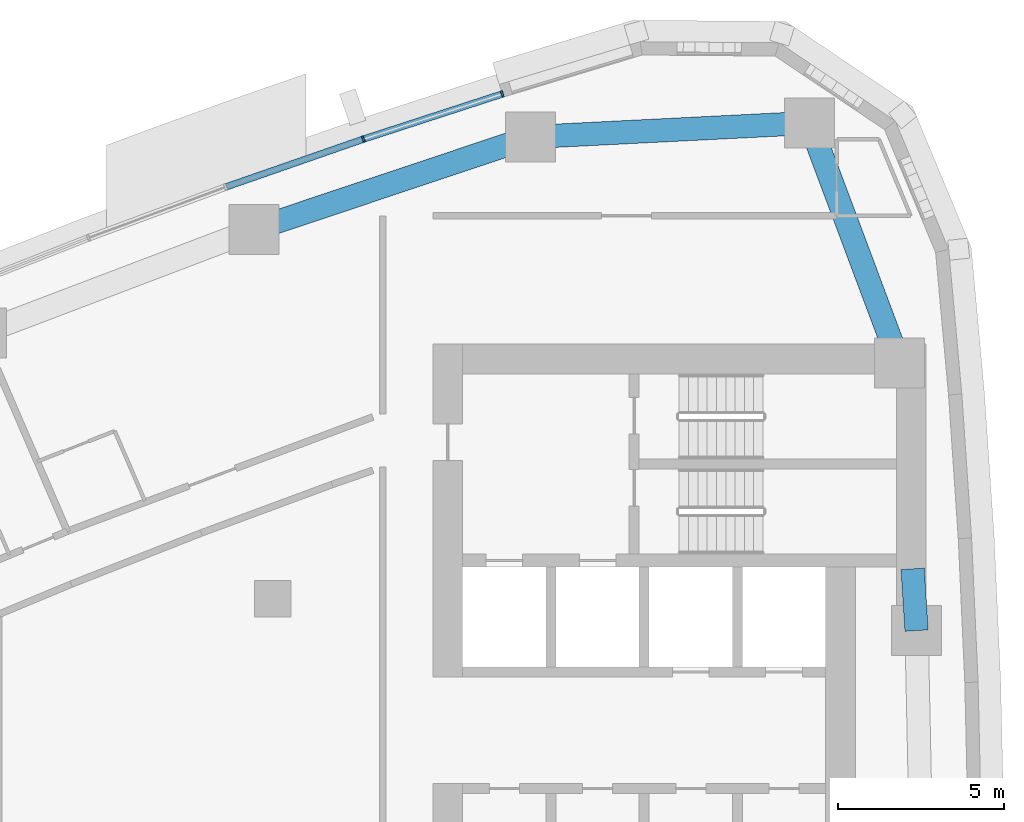
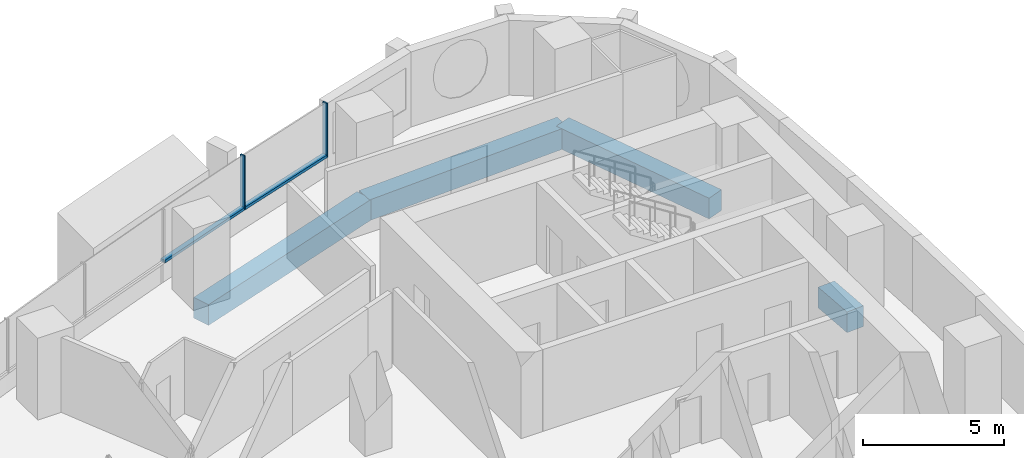
# One storey, part 6 of 17: 4 beams, 4 members, 1 element without a shape of its own.
"""IFC4 building model written with IfcOpenShell, lengths in metres."""

from ifc_helpers import new_model, si_unit, direction, frame, origin, origin_2d, place, context, subcontext, project, spatial, rectangle, extrude, material, layer, layer_set, material_profile, profile_set, type_object, element, aggregate, save


model = new_model("IFC4")

# Units and contexts
model_context = context("Model", 3, precision=1e-05, world=origin(), true_north=direction((0.0, 1.0)))
body_context = subcontext(model_context, "Body", "Model", "MODEL_VIEW")
ifc_project = project(units=[si_unit("LENGTHUNIT", "METRE"), si_unit("AREAUNIT", "SQUARE_METRE"), si_unit("VOLUMEUNIT", "CUBIC_METRE"), si_unit("PLANEANGLEUNIT", "RADIAN"), si_unit("MASSUNIT", "GRAM", prefix="KILO")], contexts=[model_context])

# Site, building, storey
site_placement = place(None, origin())
site = spatial("IfcSite", under=ifc_project, at=site_placement, CompositionType="ELEMENT")
building_placement = place(site_placement, origin())
building = spatial("IfcBuilding", under=site, at=building_placement, Name="Ostrand Prow Hotel Tower", CompositionType="ELEMENT")
storey_placement = place(building_placement, frame((0.0, 0.0, 130.199951171875)))
storey = spatial("IfcBuildingStorey", under=building, at=storey_placement, Name="L31", CompositionType="ELEMENT", Elevation=130.199951171875)

# Beams
ifc_material_1 = material(Name="Concrete C70/85", Category="concrete")
ifc_material_profile_1 = material_profile(ifc_material_1, rectangle(XDim=0.699951171875, YDim=0.89990234375, at=origin_2d()), Name="RC 700x900")
ifc_profile_set_1 = profile_set([ifc_material_profile_1], Name="Concrete C70/85")
beam_type = type_object("IfcBeamType", Name="Edge beam 700x900 C70/85", PredefinedType="SPANDREL", material=ifc_profile_set_1)
beam_1_placement = place(storey_placement, frame((64.32958984375, 8.044677734375, -0.75), z_axis=(-0.063563790544, 0.997977777574, 0.0), x_axis=(-0.997977777574, -0.063563790544, 0.0)))
element("IfcBeam", 1, at=beam_1_placement, inside=storey, type_object=beam_type, Name="Edge beam B4-B5", PredefinedType="SPANDREL", context=body_context, shape_type="SweptSolid", body=[
    extrude(rectangle(XDim=0.699951171875, YDim=0.89990234375, at=origin_2d()), origin(), (0.0, 0.0, 1.0), 1.85888671875),
])
beam_2_placement = place(storey_placement, frame((63.584716796875, 16.699951171875, -0.75), z_axis=(-0.350602524344, 0.93652435629, 0.0), x_axis=(-0.93652435629, -0.350602524344, 0.0)))
element("IfcBeam", 2, at=beam_2_placement, inside=storey, type_object=beam_type, Name="Edge beam B5-NE", PredefinedType="SPANDREL", context=body_context, shape_type="SweptSolid", body=[
    extrude(rectangle(XDim=0.699951171875, YDim=0.89990234375, at=origin_2d()), origin(), (0.0, 0.0, 1.0), 7.037353515625),
])
beam_3_placement = place(storey_placement, frame((61.117431640625, 23.29052734375, -0.75), z_axis=(-0.99873741544, -0.050235196825, 0.0), x_axis=(0.050235196825, -0.99873741544, 0.0)))
element("IfcBeam", 3, at=beam_3_placement, inside=storey, type_object=beam_type, Name="Edge beam NE-N1", PredefinedType="SPANDREL", context=body_context, shape_type="SweptSolid", body=[
    extrude(rectangle(XDim=0.699951171875, YDim=0.89990234375, at=origin_2d()), origin(), (0.0, 0.0, 1.0), 8.38818359375),
])
beam_4_placement = place(storey_placement, frame((52.73974609375, 22.869140625, -0.75), z_axis=(-0.948376051094, -0.317148018616, 0.0), x_axis=(0.317148018616, -0.948376051094, 0.0)))
element("IfcBeam", 4, at=beam_4_placement, inside=storey, type_object=beam_type, Name="Edge beam N1-N2", PredefinedType="SPANDREL", context=body_context, shape_type="SweptSolid", body=[
    extrude(rectangle(XDim=0.699951171875, YDim=0.89990234375, at=origin_2d()), origin(), (0.0, 0.0, 1.0), 8.75341796875),
])

# Curtain wall, members
ifc_material_2 = material(Name="Insulated glass in bronze anodised frame", Category="glass")
ifc_layer = layer(ifc_material_2, 0.199951171875)
ifc_layer_set = layer_set([ifc_layer], Name="Insulated glass in bronze anodised frame")
curtain_wall_type = type_object("IfcCurtainWallType", Name="Strip curtain wall, fritted glass over bronze spandrel", PredefinedType="NOTDEFINED", material=ifc_layer_set)
curtain_wall_placement = place(storey_placement, origin())
curtain_wall = element("IfcCurtainWall", 5, at=curtain_wall_placement, inside=storey, type_object=curtain_wall_type, Name="CW1 run CWN1", PredefinedType="NOTDEFINED")
ifc_material_3 = material(Name="Bronze anodised aluminium", Category="aluminium")
ifc_material_profile_2 = material_profile(ifc_material_3, rectangle(XDim=0.199951171875, YDim=0.06005859375, at=origin_2d()), Name="Mullion 60x200 bronze anodised aluminium")
ifc_profile_set_2 = profile_set([ifc_material_profile_2], Name="Bronze anodised aluminium")
member_type_1 = type_object("IfcMemberType", Name="Mullion 60x200 bronze anodised aluminium", PredefinedType="MULLION", material=ifc_profile_set_2)
member_1_placement = place(storey_placement, frame((51.888916015625, 24.16162109375, 0.900146484375), z_axis=(0.0, 0.0, 1.0), x_axis=(0.309380491373, -0.950938332153, 0.0)))
member_1 = element("IfcMember", 6, at=member_1_placement, type_object=member_type_1, Name="CW1 mullion 1", PredefinedType="MULLION", context=body_context, shape_type="SweptSolid", body=[
    extrude(rectangle(XDim=0.199951171875, YDim=0.06005859375, at=origin_2d()), origin(), (0.0, 0.0, 1.0), 2.349853515625),
])
member_2_placement = place(storey_placement, frame((47.718017578125, 22.8046875, 0.900146484375), z_axis=(0.0, 0.0, 1.0), x_axis=(0.328428177424, -0.944528947293, 0.0)))
member_2 = element("IfcMember", 7, at=member_2_placement, type_object=member_type_1, Name="CW1 mullion 2", PredefinedType="MULLION", context=body_context, shape_type="SweptSolid", body=[
    extrude(rectangle(XDim=0.199951171875, YDim=0.06005859375, at=origin_2d()), origin(), (0.0, 0.0, 1.0), 2.349853515625),
])
ifc_material_4 = material(Name="Bronze anodised aluminium", Category="aluminium")
ifc_material_profile_3 = material_profile(ifc_material_4, rectangle(XDim=0.199951171875, YDim=0.1201171875, at=origin_2d()), Name="Transom 120x200 bronze anodised aluminium")
ifc_profile_set_3 = profile_set([ifc_material_profile_3], Name="Bronze anodised aluminium")
member_type_2 = type_object("IfcMemberType", Name="Transom 120x200 bronze anodised aluminium", PredefinedType="USERDEFINED", material=ifc_profile_set_3)
member_3_placement = place(storey_placement, frame((51.8603515625, 24.15234375, 0.9599609375), z_axis=(-0.950938634958, -0.309379560643, 0.0), x_axis=(0.309379560643, -0.950938634958, 0.0)))
member_3 = element("IfcMember", 8, at=member_3_placement, type_object=member_type_2, Name="CW1 transom 1.1", ObjectType="TRANSOM", PredefinedType="USERDEFINED", context=body_context, shape_type="SweptSolid", body=[
    extrude(rectangle(XDim=0.199951171875, YDim=0.1201171875, at=origin_2d()), origin(), (0.0, 0.0, 1.0), 4.325927734375),
])
member_4_placement = place(storey_placement, frame((47.689697265625, 22.794921875, 0.9599609375), z_axis=(-0.944524201162, -0.328441826538, 0.0), x_axis=(0.328441826538, -0.944524201162, 0.0)))
member_4 = element("IfcMember", 9, at=member_4_placement, type_object=member_type_2, Name="CW1 transom 2.1", ObjectType="TRANSOM", PredefinedType="USERDEFINED", context=body_context, shape_type="SweptSolid", body=[
    extrude(rectangle(XDim=0.199951171875, YDim=0.1201171875, at=origin_2d()), origin(), (0.0, 0.0, 1.0), 4.326171875),
])
aggregate(curtain_wall, [member_1, member_2, member_3, member_4])

save(model, "model.ifc")
